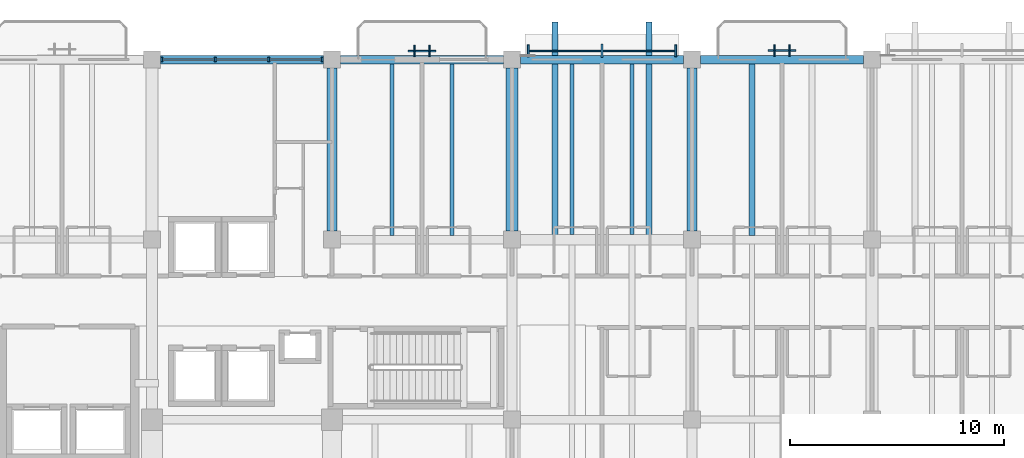
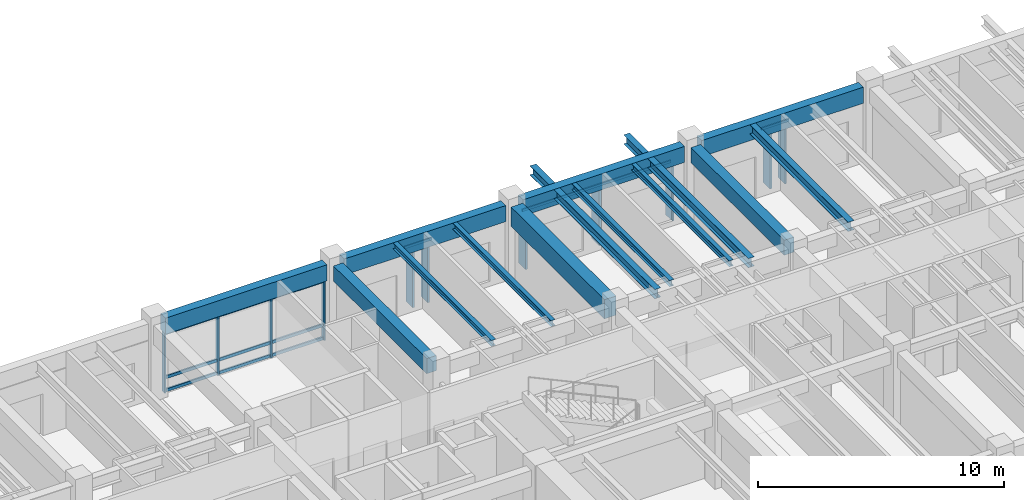
# One storey, part 45 of 132: 23 members, 14 beams, 4 elements without a shape of their own.
"""IFC4 building model written with IfcOpenShell, lengths in metres."""

from ifc_helpers import new_model, si_unit, direction, frame, origin, origin_2d, place, context, subcontext, project, spatial, rectangle, i_section, extrude, material, material_profile, profile_set, type_object, element, aggregate, save


model = new_model("IFC4")

# Units and contexts
model_context = context("Model", 3, precision=1e-05, world=origin(), true_north=direction((0.0, 1.0)))
body_context = subcontext(model_context, "Body", "Model", "MODEL_VIEW")
ifc_project = project(units=[si_unit("LENGTHUNIT", "METRE"), si_unit("AREAUNIT", "SQUARE_METRE"), si_unit("VOLUMEUNIT", "CUBIC_METRE"), si_unit("PLANEANGLEUNIT", "RADIAN"), si_unit("MASSUNIT", "GRAM", prefix="KILO")], contexts=[model_context])

# Site, building, storey
site_placement = place(None, origin())
site = spatial("IfcSite", under=ifc_project, at=site_placement, CompositionType="ELEMENT")
building_placement = place(site_placement, origin())
building = spatial("IfcBuilding", under=site, at=building_placement, Name="Cumbredor Promenade Congress Hotel", CompositionType="ELEMENT")
storey_placement = place(building_placement, frame((0.0, 0.0, 7.56005859375)))
storey = spatial("IfcBuildingStorey", under=building, at=storey_placement, Name="L02", CompositionType="ELEMENT", Elevation=7.56005859375)

# Beams
ifc_material_1 = material(Name="Concrete C40/50", Category="concrete")
ifc_material_profile_1 = material_profile(ifc_material_1, rectangle(XDim=0.449951171875, YDim=0.75, at=origin_2d()), Name="RC BEAM 450x750")
ifc_profile_set_1 = profile_set([ifc_material_profile_1], Name="Concrete C40/50")
beam_type_1 = type_object("IfcBeamType", Name="BM-RC-450x750", PredefinedType="BEAM", material=ifc_profile_set_1)
for number, where, z_axis, x_axis, name in (
    (1, (42.0, 109.60009765625, 3.425048828125), (0.0, 1.0, 0.0), (-1.0, 0.0, 0.0), "L03 Y-Grid Beam 077"),
    (2, (58.800048828125, 109.60009765625, 3.425048828125), (0.0, 1.0, 0.0), (-1.0, 0.0, 0.0), "L03 Y-Grid Beam 113"),
):
    element("IfcBeam", number, at=place(storey_placement, frame(where, z_axis=z_axis, x_axis=x_axis)), inside=storey, type_object=beam_type_1, Name=name, PredefinedType="BEAM", context=body_context, shape_type="SweptSolid", body=[
        extrude(rectangle(XDim=0.449951171875, YDim=0.75, at=origin_2d()), origin(), (0.0, 0.0, 1.0), 7.599853515625),
    ])
ifc_material_profile_2 = material_profile(ifc_material_1, rectangle(XDim=0.550048828125, YDim=0.949951171875, at=origin_2d()), Name="RC BEAM 550x950")
ifc_profile_set_2 = profile_set([ifc_material_profile_2], Name="Concrete C40/50")
beam_type_2 = type_object("IfcBeamType", Name="BM-RC-550x950", PredefinedType="BEAM", material=ifc_profile_set_2)
beam_1_placement = place(storey_placement, frame((50.39990234375, 109.60009765625, 3.324951171875), z_axis=(0.0, 1.0, 0.0), x_axis=(-1.0, 0.0, 0.0)))
element("IfcBeam", 3, at=beam_1_placement, inside=storey, type_object=beam_type_2, Name="L03 Y-Grid Beam 091", PredefinedType="BEAM", context=body_context, shape_type="SweptSolid", body=[
    extrude(rectangle(XDim=0.550048828125, YDim=0.949951171875, at=origin_2d()), origin(), (0.0, 0.0, 1.0), 7.599853515625),
])

# Curtain wall, members
ifc_material_2 = material(Name="Thermally broken anodized aluminium and low-E glass", Category="aluminium")
curtain_wall_type_1 = type_object("IfcCurtainWallType", Name="Unitised Bronze Curtain Wall CW-01", PredefinedType="NOTDEFINED", material=ifc_material_2)
curtain_wall_1_placement = place(storey_placement, origin())
curtain_wall_1 = element("IfcCurtainWall", 4, at=curtain_wall_1_placement, inside=storey, type_object=curtain_wall_type_1, Name="L02 Stepped Congress Hotel Wing North Curtain Wall 5", PredefinedType="NOTDEFINED")
ifc_material_3 = material(Name="Thermally broken anodized aluminium", Category="aluminium")
ifc_material_profile_3 = material_profile(ifc_material_3, rectangle(XDim=0.074951171875, YDim=0.199951171875, at=origin_2d()), Name="ALU MULLION 75x200")
ifc_profile_set_3 = profile_set([ifc_material_profile_3], Name="Thermally broken anodized aluminium")
member_type_1 = type_object("IfcMemberType", Name="Curtain Wall Mullion ML-02", PredefinedType="MULLION", material=ifc_profile_set_3)
member_1_placement = place(storey_placement, frame((34.054931640625, 117.60009765625, -0.008056640625), z_axis=(0.0, 0.0, 1.0), x_axis=(1.0, 0.0, 0.0)))
member_1 = element("IfcMember", 5, at=member_1_placement, type_object=member_type_1, Name="L02 Stepped Congress Hotel Wing North Curtain Wall 5 Mullion 1", PredefinedType="MULLION", context=body_context, shape_type="SweptSolid", body=[
    extrude(rectangle(XDim=0.074951171875, YDim=0.199951171875, at=origin_2d()), origin(), (0.0, 0.0, 1.0), 3.0009765625),
])
member_2_placement = place(storey_placement, frame((36.5517578125, 117.60009765625, -0.008056640625), z_axis=(0.0, 0.0, 1.0), x_axis=(1.0, 0.0, 0.0)))
member_2 = element("IfcMember", 6, at=member_2_placement, type_object=member_type_1, Name="L02 Stepped Congress Hotel Wing North Curtain Wall 5 Mullion 2", PredefinedType="MULLION", context=body_context, shape_type="SweptSolid", body=[
    extrude(rectangle(XDim=0.074951171875, YDim=0.199951171875, at=origin_2d()), origin(), (0.0, 0.0, 1.0), 3.0009765625),
])
member_3_placement = place(storey_placement, frame((39.04833984375, 117.60009765625, -0.008056640625), z_axis=(0.0, 0.0, 1.0), x_axis=(1.0, 0.0, 0.0)))
member_3 = element("IfcMember", 7, at=member_3_placement, type_object=member_type_1, Name="L02 Stepped Congress Hotel Wing North Curtain Wall 5 Mullion 3", PredefinedType="MULLION", context=body_context, shape_type="SweptSolid", body=[
    extrude(rectangle(XDim=0.074951171875, YDim=0.199951171875, at=origin_2d()), origin(), (0.0, 0.0, 1.0), 3.0009765625),
])
member_4_placement = place(storey_placement, frame((41.544921875, 117.60009765625, -0.008056640625), z_axis=(0.0, 0.0, 1.0), x_axis=(1.0, 0.0, 0.0)))
member_4 = element("IfcMember", 8, at=member_4_placement, type_object=member_type_1, Name="L02 Stepped Congress Hotel Wing North Curtain Wall 5 Mullion 4", PredefinedType="MULLION", context=body_context, shape_type="SweptSolid", body=[
    extrude(rectangle(XDim=0.074951171875, YDim=0.199951171875, at=origin_2d()), origin(), (0.0, 0.0, 1.0), 3.0009765625),
])

# Curtain wall, member
curtain_wall_type_2 = type_object("IfcCurtainWallType", Name="Solar Brise-Soleil Screen Assembly CW-07", PredefinedType="NOTDEFINED", material=ifc_material_2)
curtain_wall_2_placement = place(storey_placement, origin())
curtain_wall_2 = element("IfcCurtainWall", 9, at=curtain_wall_2_placement, inside=storey, type_object=curtain_wall_type_2, Name="L02 Veranda Solar Brise-Soleil Screen 484", PredefinedType="NOTDEFINED")
ifc_material_profile_4 = material_profile(ifc_material_3, rectangle(XDim=0.06494140625, YDim=0.1298828125, at=origin_2d()), Name="ALU TRANSOM 65x130")
ifc_profile_set_4 = profile_set([ifc_material_profile_4], Name="Thermally broken anodized aluminium")
member_type_2 = type_object("IfcMemberType", Name="Curtain Wall Transom TR-01", PredefinedType="USERDEFINED", material=ifc_profile_set_4)
member_5_placement = place(storey_placement, frame((45.550048828125, 118.0, 2.905029296875), z_axis=(1.0, 0.0, 0.0), x_axis=(0.0, 1.0, 0.0)))
member_5 = element("IfcMember", 10, at=member_5_placement, type_object=member_type_2, Name="L02 Brise-Soleil Header Tie 0486", ObjectType="TRANSOM", PredefinedType="USERDEFINED", context=body_context, shape_type="SweptSolid", body=[
    extrude(rectangle(XDim=0.06494140625, YDim=0.1298828125, at=origin_2d()), origin(), (0.0, 0.0, 1.0), 1.300048828125),
])

curtain_wall_3_placement = place(storey_placement, origin())
curtain_wall_3 = element("IfcCurtainWall", 11, at=curtain_wall_3_placement, inside=storey, type_object=curtain_wall_type_2, Name="L02 Hospitality Brise-Soleil Screen 045", PredefinedType="NOTDEFINED")
member_6_placement = place(storey_placement, frame((51.10107421875, 118.010009765625, 2.804931640625), z_axis=(1.0, 0.0, 0.0), x_axis=(0.0, 1.0, 0.0)))
member_6 = element("IfcMember", 12, at=member_6_placement, type_object=member_type_2, Name="L02 Brise-Soleil Screen Transom 045", ObjectType="TRANSOM", PredefinedType="USERDEFINED", context=body_context, shape_type="SweptSolid", body=[
    extrude(rectangle(XDim=0.06494140625, YDim=0.1298828125, at=origin_2d()), origin(), (0.0, 0.0, 1.0), 6.998046875),
])

curtain_wall_4_placement = place(storey_placement, origin())
curtain_wall_4 = element("IfcCurtainWall", 13, at=curtain_wall_4_placement, inside=storey, type_object=curtain_wall_type_2, Name="L02 Veranda Solar Brise-Soleil Screen 490", PredefinedType="NOTDEFINED")
member_7_placement = place(storey_placement, frame((62.35009765625, 118.0224609375, 2.905029296875), z_axis=(1.0, 0.0, 0.0), x_axis=(0.0, 1.0, 0.0)))
member_7 = element("IfcMember", 14, at=member_7_placement, type_object=member_type_2, Name="L02 Brise-Soleil Header Tie 0492", ObjectType="TRANSOM", PredefinedType="USERDEFINED", context=body_context, shape_type="SweptSolid", body=[
    extrude(rectangle(XDim=0.06494140625, YDim=0.1298828125, at=origin_2d()), origin(), (0.0, 0.0, 1.0), 1.2998046875),
])

# Member
ifc_material_profile_5 = material_profile(ifc_material_3, rectangle(XDim=0.074951171875, YDim=0.14990234375, at=origin_2d()), Name="ALU TRANSOM 75x150")
ifc_profile_set_5 = profile_set([ifc_material_profile_5], Name="Thermally broken anodized aluminium")
member_type_3 = type_object("IfcMemberType", Name="Curtain Wall Transom TR-02", PredefinedType="USERDEFINED", material=ifc_profile_set_5)
member_8_placement = place(storey_placement, frame((34.092529296875, 117.60009765625, 0.06982421875), z_axis=(1.0, 0.0, 0.0), x_axis=(0.0, 1.0, 0.0)))
member_8 = element("IfcMember", 15, at=member_8_placement, type_object=member_type_3, Name="L02 Stepped Congress Hotel Wing North Curtain Wall 5 Transom 1.1", ObjectType="TRANSOM", PredefinedType="USERDEFINED", context=body_context, shape_type="SweptSolid", body=[
    extrude(rectangle(XDim=0.074951171875, YDim=0.14990234375, at=origin_2d()), origin(), (0.0, 0.0, 1.0), 2.421630859375),
])

member_9_placement = place(storey_placement, frame((34.092529296875, 117.60009765625, 0.719970703125), z_axis=(1.0, 0.0, 0.0), x_axis=(0.0, 1.0, 0.0)))
member_9 = element("IfcMember", 16, at=member_9_placement, type_object=member_type_3, Name="L02 Stepped Congress Hotel Wing North Curtain Wall 5 Transom 1.2", ObjectType="TRANSOM", PredefinedType="USERDEFINED", context=body_context, shape_type="SweptSolid", body=[
    extrude(rectangle(XDim=0.074951171875, YDim=0.14990234375, at=origin_2d()), origin(), (0.0, 0.0, 1.0), 2.421630859375),
])

member_10_placement = place(storey_placement, frame((34.092529296875, 117.60009765625, 2.909912109375), z_axis=(1.0, 0.0, 0.0), x_axis=(0.0, 1.0, 0.0)))
member_10 = element("IfcMember", 17, at=member_10_placement, type_object=member_type_3, Name="L02 Stepped Congress Hotel Wing North Curtain Wall 5 Transom 1.3", ObjectType="TRANSOM", PredefinedType="USERDEFINED", context=body_context, shape_type="SweptSolid", body=[
    extrude(rectangle(XDim=0.074951171875, YDim=0.14990234375, at=origin_2d()), origin(), (0.0, 0.0, 1.0), 2.421630859375),
])

member_11_placement = place(storey_placement, frame((36.589111328125, 117.60009765625, 0.06982421875), z_axis=(1.0, 0.0, 0.0), x_axis=(0.0, 1.0, 0.0)))
member_11 = element("IfcMember", 18, at=member_11_placement, type_object=member_type_3, Name="L02 Stepped Congress Hotel Wing North Curtain Wall 5 Transom 2.1", ObjectType="TRANSOM", PredefinedType="USERDEFINED", context=body_context, shape_type="SweptSolid", body=[
    extrude(rectangle(XDim=0.074951171875, YDim=0.14990234375, at=origin_2d()), origin(), (0.0, 0.0, 1.0), 2.421630859375),
])

member_12_placement = place(storey_placement, frame((36.589111328125, 117.60009765625, 0.719970703125), z_axis=(1.0, 0.0, 0.0), x_axis=(0.0, 1.0, 0.0)))
member_12 = element("IfcMember", 19, at=member_12_placement, type_object=member_type_3, Name="L02 Stepped Congress Hotel Wing North Curtain Wall 5 Transom 2.2", ObjectType="TRANSOM", PredefinedType="USERDEFINED", context=body_context, shape_type="SweptSolid", body=[
    extrude(rectangle(XDim=0.074951171875, YDim=0.14990234375, at=origin_2d()), origin(), (0.0, 0.0, 1.0), 2.421630859375),
])

member_13_placement = place(storey_placement, frame((36.589111328125, 117.60009765625, 2.909912109375), z_axis=(1.0, 0.0, 0.0), x_axis=(0.0, 1.0, 0.0)))
member_13 = element("IfcMember", 20, at=member_13_placement, type_object=member_type_3, Name="L02 Stepped Congress Hotel Wing North Curtain Wall 5 Transom 2.3", ObjectType="TRANSOM", PredefinedType="USERDEFINED", context=body_context, shape_type="SweptSolid", body=[
    extrude(rectangle(XDim=0.074951171875, YDim=0.14990234375, at=origin_2d()), origin(), (0.0, 0.0, 1.0), 2.421630859375),
])

member_14_placement = place(storey_placement, frame((39.085693359375, 117.60009765625, 0.06982421875), z_axis=(1.0, 0.0, 0.0), x_axis=(0.0, 1.0, 0.0)))
member_14 = element("IfcMember", 21, at=member_14_placement, type_object=member_type_3, Name="L02 Stepped Congress Hotel Wing North Curtain Wall 5 Transom 3.1", ObjectType="TRANSOM", PredefinedType="USERDEFINED", context=body_context, shape_type="SweptSolid", body=[
    extrude(rectangle(XDim=0.074951171875, YDim=0.14990234375, at=origin_2d()), origin(), (0.0, 0.0, 1.0), 2.421875),
])

member_15_placement = place(storey_placement, frame((39.085693359375, 117.60009765625, 0.719970703125), z_axis=(1.0, 0.0, 0.0), x_axis=(0.0, 1.0, 0.0)))
member_15 = element("IfcMember", 22, at=member_15_placement, type_object=member_type_3, Name="L02 Stepped Congress Hotel Wing North Curtain Wall 5 Transom 3.2", ObjectType="TRANSOM", PredefinedType="USERDEFINED", context=body_context, shape_type="SweptSolid", body=[
    extrude(rectangle(XDim=0.074951171875, YDim=0.14990234375, at=origin_2d()), origin(), (0.0, 0.0, 1.0), 2.421875),
])

member_16_placement = place(storey_placement, frame((39.085693359375, 117.60009765625, 2.909912109375), z_axis=(1.0, 0.0, 0.0), x_axis=(0.0, 1.0, 0.0)))
member_16 = element("IfcMember", 23, at=member_16_placement, type_object=member_type_3, Name="L02 Stepped Congress Hotel Wing North Curtain Wall 5 Transom 3.3", ObjectType="TRANSOM", PredefinedType="USERDEFINED", context=body_context, shape_type="SweptSolid", body=[
    extrude(rectangle(XDim=0.074951171875, YDim=0.14990234375, at=origin_2d()), origin(), (0.0, 0.0, 1.0), 2.421875),
])

aggregate(curtain_wall_1, [member_1, member_2, member_3, member_4, member_8, member_9, member_10, member_11, member_12, member_13, member_14, member_15, member_16])

# Beams
ifc_material_4 = material(Name="Steel ASTM A992 Grade 50", Category="steel")
ifc_material_profile_6 = material_profile(ifc_material_4, i_section(OverallWidth=0.202880859375, OverallDepth=0.302978515625, WebThickness=0.007568359375, FlangeThickness=0.01318359375, at=origin_2d()), Name="W12X40")
ifc_profile_set_6 = profile_set([ifc_material_profile_6], Name="Steel ASTM A992 Grade 50")
beam_type_3 = type_object("IfcBeamType", Name="JST-W12X40", PredefinedType="JOIST", material=ifc_profile_set_6)
for number, where, z_axis, x_axis, name in (
    (24, (44.800048828125, 109.39990234375, 3.6484375), (0.0, 1.0, 0.0), (-1.0, 0.0, 0.0), "L03 Secondary Floor Joist 0036"),
    (25, (47.60009765625, 109.39990234375, 3.6484375), (0.0, 1.0, 0.0), (-1.0, 0.0, 0.0), "L03 Secondary Floor Joist 0037"),
):
    element("IfcBeam", number, at=place(storey_placement, frame(where, z_axis=z_axis, x_axis=x_axis)), inside=storey, type_object=beam_type_3, Name=name, PredefinedType="JOIST", context=body_context, shape_type="SweptSolid", body=[
        extrude(i_section(OverallWidth=0.202880859375, OverallDepth=0.302978515625, WebThickness=0.007568359375, FlangeThickness=0.01318359375, at=origin_2d()), origin(), (0.0, 0.0, 1.0), 8.0),
    ])
for number, where, z_axis, x_axis, name in (
    (26, (53.199951171875, 109.449951171875, 3.6484375), (0.0, 1.0, 0.0), (-1.0, 0.0, 0.0), "L03 Secondary Floor Joist 0046"),
    (27, (56.0, 109.449951171875, 3.6484375), (0.0, 1.0, 0.0), (-1.0, 0.0, 0.0), "L03 Secondary Floor Joist 0047"),
):
    element("IfcBeam", number, at=place(storey_placement, frame(where, z_axis=z_axis, x_axis=x_axis)), inside=storey, type_object=beam_type_3, Name=name, PredefinedType="JOIST", context=body_context, shape_type="SweptSolid", body=[
        extrude(i_section(OverallWidth=0.202880859375, OverallDepth=0.302978515625, WebThickness=0.007568359375, FlangeThickness=0.01318359375, at=origin_2d()), origin(), (0.0, 0.0, 1.0), 7.949951171875),
    ])
ifc_material_profile_7 = material_profile(ifc_material_4, i_section(OverallWidth=0.280029296875, OverallDepth=0.462890625, WebThickness=0.0107421875, FlangeThickness=0.017333984375, at=origin_2d()), Name="W18X76")
ifc_profile_set_7 = profile_set([ifc_material_profile_7], Name="Steel ASTM A992 Grade 50")
beam_type_4 = type_object("IfcBeamType", Name="JST-W18X76", PredefinedType="JOIST", material=ifc_profile_set_7)
for number, where, z_axis, x_axis, name in (
    (28, (52.39990234375, 109.199951171875, 3.568359375), (0.0, 1.0, 0.0), (-1.0, 0.0, 0.0), "L03 Balcony Back-Spanned Outrigger Beam 014.1"),
    (29, (56.800048828125, 109.199951171875, 3.568359375), (0.0, 1.0, 0.0), (-1.0, 0.0, 0.0), "L03 Balcony Back-Spanned Outrigger Beam 014.2"),
):
    element("IfcBeam", number, at=place(storey_placement, frame(where, z_axis=z_axis, x_axis=x_axis)), inside=storey, type_object=beam_type_4, Name=name, PredefinedType="JOIST", context=body_context, shape_type="SweptSolid", body=[
        extrude(i_section(OverallWidth=0.280029296875, OverallDepth=0.462890625, WebThickness=0.0107421875, FlangeThickness=0.017333984375, at=origin_2d()), origin(), (0.0, 0.0, 1.0), 10.150146484375),
    ])
beam_2_placement = place(storey_placement, frame((61.60009765625, 109.39990234375, 3.568359375), z_axis=(0.0, 1.0, 0.0), x_axis=(-1.0, 0.0, 0.0)))
element("IfcBeam", 30, at=beam_2_placement, inside=storey, type_object=beam_type_4, Name="L03 Secondary Floor Joist 0064", PredefinedType="JOIST", context=body_context, shape_type="SweptSolid", body=[
    extrude(i_section(OverallWidth=0.280029296875, OverallDepth=0.462890625, WebThickness=0.0107421875, FlangeThickness=0.017333984375, at=origin_2d()), origin(), (0.0, 0.0, 1.0), 8.0),
])
ifc_material_profile_8 = material_profile(ifc_material_1, rectangle(XDim=0.39990234375, YDim=0.800048828125, at=origin_2d()), Name="RC SPANDREL 400x800")
ifc_profile_set_8 = profile_set([ifc_material_profile_8], Name="Concrete C40/50")
beam_type_5 = type_object("IfcBeamType", Name="SP-RC-400x800", PredefinedType="SPANDREL", material=ifc_profile_set_8)
for number, where, z_axis, x_axis, name in (
    (31, (34.0, 117.60009765625, 3.39990234375), (1.0, 0.0, 0.0), (0.0, 1.0, 0.0), "L03 X-Grid Beam 068"),
    (32, (42.39990234375, 117.60009765625, 3.39990234375), (1.0, 0.0, 0.0), (0.0, 1.0, 0.0), "L03 X-Grid Beam 078"),
):
    element("IfcBeam", number, at=place(storey_placement, frame(where, z_axis=z_axis, x_axis=x_axis)), inside=storey, type_object=beam_type_5, Name=name, PredefinedType="SPANDREL", context=body_context, shape_type="SweptSolid", body=[
        extrude(rectangle(XDim=0.39990234375, YDim=0.800048828125, at=origin_2d()), origin(), (0.0, 0.0, 1.0), 7.60009765625),
    ])
beam_3_placement = place(storey_placement, frame((50.800048828125, 117.60009765625, 3.39990234375), z_axis=(1.0, 0.0, 0.0), x_axis=(0.0, 1.0, 0.0)))
element("IfcBeam", 33, at=beam_3_placement, inside=storey, type_object=beam_type_5, Name="L03 X-Grid Beam 092", PredefinedType="SPANDREL", context=body_context, shape_type="SweptSolid", body=[
    extrude(rectangle(XDim=0.39990234375, YDim=0.800048828125, at=origin_2d()), origin(), (0.0, 0.0, 1.0), 7.599853515625),
])
beam_4_placement = place(storey_placement, frame((59.199951171875, 117.60009765625, 3.39990234375), z_axis=(1.0, 0.0, 0.0), x_axis=(0.0, 1.0, 0.0)))
element("IfcBeam", 34, at=beam_4_placement, inside=storey, type_object=beam_type_5, Name="L03 X-Grid Beam 114", PredefinedType="SPANDREL", context=body_context, shape_type="SweptSolid", body=[
    extrude(rectangle(XDim=0.39990234375, YDim=0.800048828125, at=origin_2d()), origin(), (0.0, 0.0, 1.0), 7.60009765625),
])

# Member
ifc_material_profile_9 = material_profile(ifc_material_3, rectangle(XDim=0.110107421875, YDim=0.6201171875, at=origin_2d()), Name="ARCH FIN 110x620")
ifc_profile_set_9 = profile_set([ifc_material_profile_9], Name="Thermally broken anodized aluminium")
member_type_4 = type_object("IfcMemberType", Name="Vertical Bronze Brise-Soleil Fin BSF-02 110x620", PredefinedType="USERDEFINED", material=ifc_profile_set_9)
member_17_placement = place(storey_placement, frame((54.60009765625, 118.010009765625, 0.02001953125), z_axis=(0.0, 0.0, 1.0), x_axis=(1.0, 0.0, 0.0)))
member_17 = element("IfcMember", 35, at=member_17_placement, type_object=member_type_4, Name="L02 Vertical Brise-Soleil Fin 0488", ObjectType="SOLAR FIN", PredefinedType="USERDEFINED", context=body_context, shape_type="SweptSolid", body=[
    extrude(rectangle(XDim=0.110107421875, YDim=0.6201171875, at=origin_2d()), origin(), (0.0, 0.0, 1.0), 2.844970703125),
])

ifc_material_5 = material(Name="Kiln-dried tropical hardwood", Category="wood")
ifc_material_profile_10 = material_profile(ifc_material_5, rectangle(XDim=0.090087890625, YDim=0.550048828125, at=origin_2d()), Name="ARCH FIN 90x550")
ifc_profile_set_10 = profile_set([ifc_material_profile_10], Name="Kiln-dried tropical hardwood")
member_type_5 = type_object("IfcMemberType", Name="Vertical Hardwood Brise-Soleil Fin BSF-01 90x550", PredefinedType="USERDEFINED", material=ifc_profile_set_10)
member_18_placement = place(storey_placement, frame((45.85009765625, 118.0, -0.010009765625), z_axis=(0.0, 0.0, 1.0), x_axis=(1.0, 0.0, 0.0)))
member_18 = element("IfcMember", 36, at=member_18_placement, type_object=member_type_5, Name="L02 Vertical Hardwood Brise-Soleil Fin 0485", ObjectType="SOLAR FIN", PredefinedType="USERDEFINED", context=body_context, shape_type="SweptSolid", body=[
    extrude(rectangle(XDim=0.090087890625, YDim=0.550048828125, at=origin_2d()), origin(), (0.0, 0.0, 1.0), 2.974853515625),
])

member_19_placement = place(storey_placement, frame((46.550048828125, 118.0, -0.010009765625), z_axis=(0.0, 0.0, 1.0), x_axis=(1.0, 0.0, 0.0)))
member_19 = element("IfcMember", 37, at=member_19_placement, type_object=member_type_5, Name="L02 Vertical Hardwood Brise-Soleil Fin 0486", ObjectType="SOLAR FIN", PredefinedType="USERDEFINED", context=body_context, shape_type="SweptSolid", body=[
    extrude(rectangle(XDim=0.090087890625, YDim=0.550048828125, at=origin_2d()), origin(), (0.0, 0.0, 1.0), 2.974853515625),
])

aggregate(curtain_wall_2, [member_18, member_19, member_5])

member_20_placement = place(storey_placement, frame((51.15087890625, 118.010009765625, 0.02001953125), z_axis=(0.0, 0.0, 1.0), x_axis=(1.0, 0.0, 0.0)))
member_20 = element("IfcMember", 38, at=member_20_placement, type_object=member_type_5, Name="L02 Vertical Brise-Soleil Fin 0487", ObjectType="SOLAR FIN", PredefinedType="USERDEFINED", context=body_context, shape_type="SweptSolid", body=[
    extrude(rectangle(XDim=0.090087890625, YDim=0.550048828125, at=origin_2d()), origin(), (0.0, 0.0, 1.0), 2.844970703125),
])

member_21_placement = place(storey_placement, frame((58.049072265625, 118.010009765625, 0.02001953125), z_axis=(0.0, 0.0, 1.0), x_axis=(1.0, 0.0, 0.0)))
member_21 = element("IfcMember", 39, at=member_21_placement, type_object=member_type_5, Name="L02 Vertical Brise-Soleil Fin 0489", ObjectType="SOLAR FIN", PredefinedType="USERDEFINED", context=body_context, shape_type="SweptSolid", body=[
    extrude(rectangle(XDim=0.090087890625, YDim=0.550048828125, at=origin_2d()), origin(), (0.0, 0.0, 1.0), 2.844970703125),
])

aggregate(curtain_wall_3, [member_6, member_20, member_17, member_21])

member_22_placement = place(storey_placement, frame((62.64990234375, 118.0224609375, -0.010009765625), z_axis=(0.0, 0.0, 1.0), x_axis=(1.0, 0.0, 0.0)))
member_22 = element("IfcMember", 40, at=member_22_placement, type_object=member_type_5, Name="L02 Vertical Hardwood Brise-Soleil Fin 0491", ObjectType="SOLAR FIN", PredefinedType="USERDEFINED", context=body_context, shape_type="SweptSolid", body=[
    extrude(rectangle(XDim=0.090087890625, YDim=0.550048828125, at=origin_2d()), origin(), (0.0, 0.0, 1.0), 2.974853515625),
])

member_23_placement = place(storey_placement, frame((63.35009765625, 118.0224609375, -0.010009765625), z_axis=(0.0, 0.0, 1.0), x_axis=(1.0, 0.0, 0.0)))
member_23 = element("IfcMember", 41, at=member_23_placement, type_object=member_type_5, Name="L02 Vertical Hardwood Brise-Soleil Fin 0492", ObjectType="SOLAR FIN", PredefinedType="USERDEFINED", context=body_context, shape_type="SweptSolid", body=[
    extrude(rectangle(XDim=0.090087890625, YDim=0.550048828125, at=origin_2d()), origin(), (0.0, 0.0, 1.0), 2.974853515625),
])

aggregate(curtain_wall_4, [member_22, member_23, member_7])

save(model, "model.ifc")
